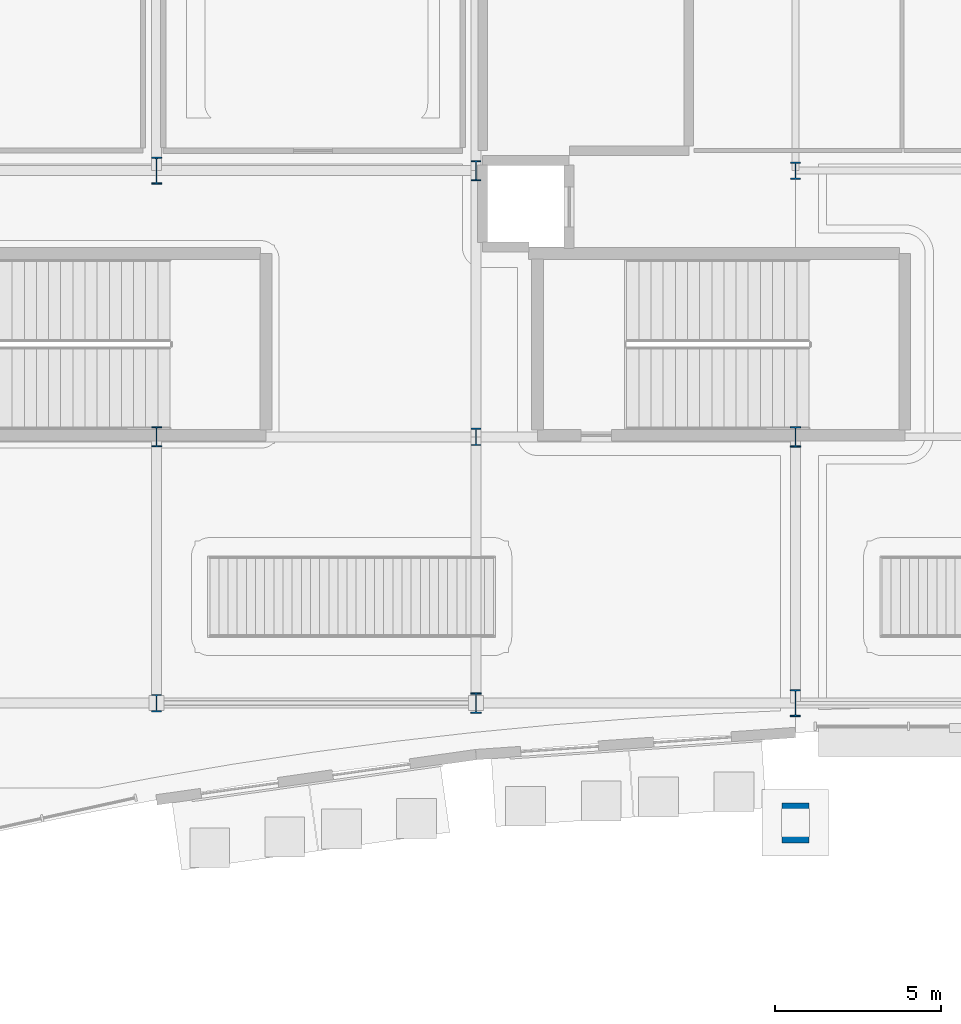
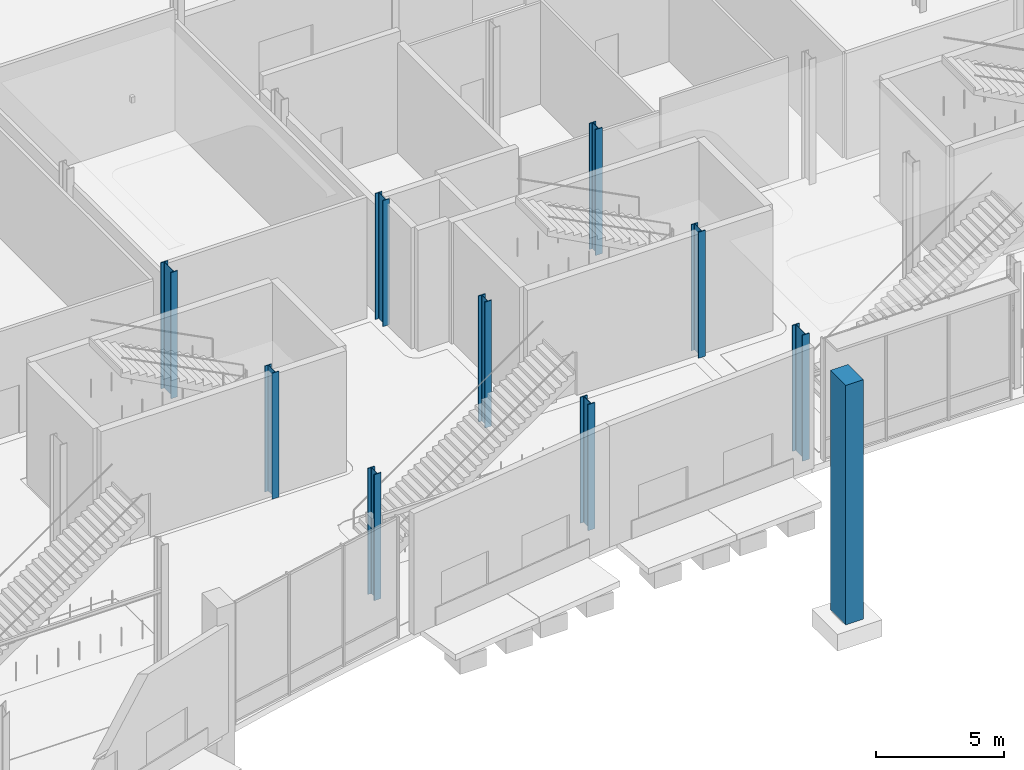
# One storey, part 7 of 124: 10 columns.
"""IFC4 building model written with IfcOpenShell, lengths in metres."""

from ifc_helpers import new_model, si_unit, direction, frame, origin, origin_2d, place, context, subcontext, project, spatial, rectangle, i_section, extrude, material, material_profile, profile_set, type_object, element, save


model = new_model("IFC4")

# Units and contexts
model_context = context("Model", 3, precision=1e-05, world=origin(), true_north=direction((0.0, 1.0)))
body_context = subcontext(model_context, "Body", "Model", "MODEL_VIEW")
ifc_project = project(units=[si_unit("LENGTHUNIT", "METRE"), si_unit("AREAUNIT", "SQUARE_METRE"), si_unit("VOLUMEUNIT", "CUBIC_METRE"), si_unit("PLANEANGLEUNIT", "RADIAN"), si_unit("MASSUNIT", "GRAM", prefix="KILO")], contexts=[model_context])

# Site, building, storey
site_placement = place(None, origin())
site = spatial("IfcSite", under=ifc_project, at=site_placement, CompositionType="ELEMENT")
building_placement = place(site_placement, origin())
building = spatial("IfcBuilding", under=site, at=building_placement, Name="Danafjord Basin Convention Centre", CompositionType="ELEMENT")
storey_placement = place(building_placement, origin())
storey = spatial("IfcBuildingStorey", under=building, at=storey_placement, Name="L00", CompositionType="ELEMENT", Elevation=0.0)

# Columns
ifc_material_1 = material(Name="Steel S355", Category="steel")
ifc_material_profile_1 = material_profile(ifc_material_1, i_section(OverallWidth=0.300048828125, OverallDepth=0.60009765625, WebThickness=0.015380859375, FlangeThickness=0.030029296875, FilletRadius=0.027099609375, at=origin_2d()), Name="HEB 600")
ifc_profile_set_1 = profile_set([ifc_material_profile_1], Name="Steel S355")
column_type_1 = type_object("IfcColumnType", Name="COL-C-HEB600", PredefinedType="COLUMN", material=ifc_profile_set_1)
for number, where, z_axis, x_axis, name in (
    (1, (38.39990234375, 16.0, 0.0), (0.0, 0.0, 1.0), (1.0, 0.0, 0.0), "L00 column C-HEB600 at (38.4, 16.0)"),
    (2, (48.0, 24.0, 0.0), (0.0, 0.0, 1.0), (1.0, 0.0, 0.0), "L00 column C-HEB600 at (48.0, 24.0)"),
):
    element("IfcColumn", number, at=place(storey_placement, frame(where, z_axis=z_axis, x_axis=x_axis)), inside=storey, type_object=column_type_1, Name=name, PredefinedType="COLUMN", context=body_context, shape_type="SweptSolid", body=[
        extrude(i_section(OverallWidth=0.300048828125, OverallDepth=0.60009765625, WebThickness=0.015380859375, FlangeThickness=0.030029296875, FilletRadius=0.027099609375, at=origin_2d()), origin(), (0.0, 0.0, 1.0), 6.0),
    ])
ifc_material_profile_2 = material_profile(ifc_material_1, i_section(OverallWidth=0.305908203125, OverallDepth=0.52392578125, WebThickness=0.02099609375, FlangeThickness=0.0400390625, FilletRadius=0.027099609375, at=origin_2d()), Name="HEM 500")
ifc_profile_set_2 = profile_set([ifc_material_profile_2], Name="Steel S355")
column_type_2 = type_object("IfcColumnType", Name="COL-C-HEM500", PredefinedType="COLUMN", material=ifc_profile_set_2)
for number, where, z_axis, x_axis, name in (
    (3, (38.39990234375, 8.0, 0.0), (0.0, 0.0, 1.0), (1.0, 0.0, 0.0), "L00 column C-HEM500 at (38.4, 8.0)"),
    (4, (48.0, 16.0, 0.0), (0.0, 0.0, 1.0), (1.0, 0.0, 0.0), "L00 column C-HEM500 at (48.0, 16.0)"),
    (5, (57.60009765625, 24.0, 0.0), (0.0, 0.0, 1.0), (1.0, 0.0, 0.0), "L00 column C-HEM500 at (57.6, 24.0)"),
):
    element("IfcColumn", number, at=place(storey_placement, frame(where, z_axis=z_axis, x_axis=x_axis)), inside=storey, type_object=column_type_2, Name=name, PredefinedType="COLUMN", context=body_context, shape_type="SweptSolid", body=[
        extrude(i_section(OverallWidth=0.305908203125, OverallDepth=0.52392578125, WebThickness=0.02099609375, FlangeThickness=0.0400390625, FilletRadius=0.027099609375, at=origin_2d()), origin(), (0.0, 0.0, 1.0), 6.0),
    ])
ifc_material_profile_3 = material_profile(ifc_material_1, i_section(OverallWidth=0.304931640625, OverallDepth=0.6201171875, WebThickness=0.02099609375, FlangeThickness=0.0400390625, FilletRadius=0.027099609375, at=origin_2d()), Name="HEM 600")
ifc_profile_set_3 = profile_set([ifc_material_profile_3], Name="Steel S355")
column_type_3 = type_object("IfcColumnType", Name="COL-C-HEM600", PredefinedType="COLUMN", material=ifc_profile_set_3)
for number, where, z_axis, x_axis, name in (
    (6, (48.0, 8.0, 0.0), (0.0, 0.0, 1.0), (1.0, 0.0, 0.0), "L00 column C-HEM600 at (48.0, 8.0)"),
    (7, (57.60009765625, 16.0, 0.0), (0.0, 0.0, 1.0), (1.0, 0.0, 0.0), "L00 column C-HEM600 at (57.6, 16.0)"),
):
    element("IfcColumn", number, at=place(storey_placement, frame(where, z_axis=z_axis, x_axis=x_axis)), inside=storey, type_object=column_type_3, Name=name, PredefinedType="COLUMN", context=body_context, shape_type="SweptSolid", body=[
        extrude(i_section(OverallWidth=0.304931640625, OverallDepth=0.6201171875, WebThickness=0.02099609375, FlangeThickness=0.0400390625, FilletRadius=0.027099609375, at=origin_2d()), origin(), (0.0, 0.0, 1.0), 6.0),
    ])
ifc_material_profile_4 = material_profile(ifc_material_1, i_section(OverallWidth=0.302978515625, OverallDepth=0.81396484375, WebThickness=0.02099609375, FlangeThickness=0.0400390625, FilletRadius=0.030029296875, at=origin_2d()), Name="HEM 800")
ifc_profile_set_4 = profile_set([ifc_material_profile_4], Name="Steel S355")
column_type_4 = type_object("IfcColumnType", Name="COL-C-HEM800", PredefinedType="COLUMN", material=ifc_profile_set_4)
for number, where, z_axis, x_axis, name in (
    (8, (38.39990234375, 24.0, 0.0), (0.0, 0.0, 1.0), (1.0, 0.0, 0.0), "L00 column C-HEM800 at (38.4, 24.0)"),
    (9, (57.60009765625, 8.0, 0.0), (0.0, 0.0, 1.0), (1.0, 0.0, 0.0), "L00 column C-HEM800 at (57.6, 8.0)"),
):
    element("IfcColumn", number, at=place(storey_placement, frame(where, z_axis=z_axis, x_axis=x_axis)), inside=storey, type_object=column_type_4, Name=name, PredefinedType="COLUMN", context=body_context, shape_type="SweptSolid", body=[
        extrude(i_section(OverallWidth=0.302978515625, OverallDepth=0.81396484375, WebThickness=0.02099609375, FlangeThickness=0.0400390625, FilletRadius=0.030029296875, at=origin_2d()), origin(), (0.0, 0.0, 1.0), 6.0),
    ])
ifc_material_2 = material(Name="Precast concrete C45/55", Category="concrete")
ifc_material_profile_5 = material_profile(ifc_material_2, rectangle(XDim=0.800048828125, YDim=1.199951171875, at=origin_2d()), Name="RC 1200x800")
ifc_profile_set_5 = profile_set([ifc_material_profile_5], Name="Precast concrete C45/55")
column_type_5 = type_object("IfcColumnType", Name="COL-C-PIL1200", PredefinedType="PILASTER", material=ifc_profile_set_5)
column_placement = place(storey_placement, frame((57.60009765625, 4.39990234375, -5.39990234375), z_axis=(0.0, 0.0, 1.0), x_axis=(1.0, 0.0, 0.0)))
element("IfcColumn", 10, at=column_placement, inside=storey, type_object=column_type_5, Name="L00 column C-PIL1200 at (57.6, 4.4)", PredefinedType="PILASTER", context=body_context, shape_type="SweptSolid", body=[
    extrude(rectangle(XDim=0.800048828125, YDim=1.199951171875, at=origin_2d()), origin(), (0.0, 0.0, 1.0), 11.39990234375),
])

save(model, "model.ifc")
